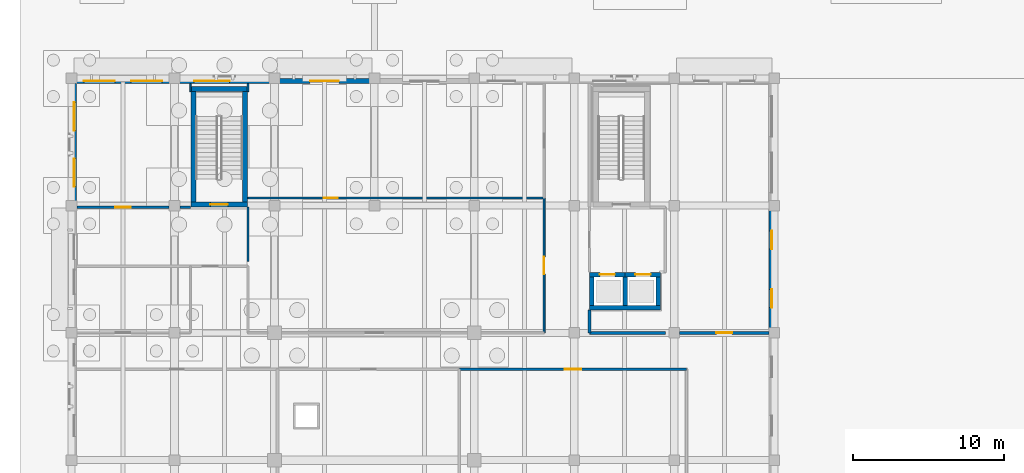
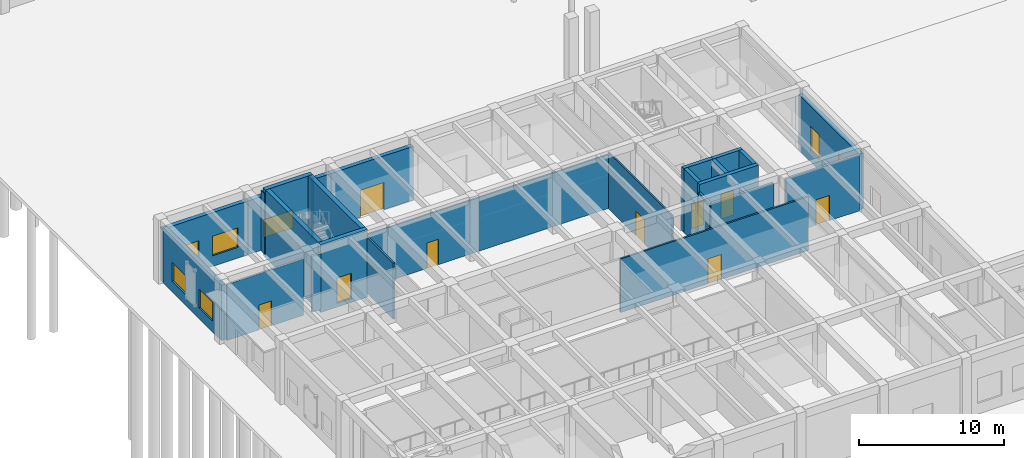
# One storey, part 50 of 82: 26 walls, 9 doors, 7 windows, 16 openings.
"""IFC4 building model written with IfcOpenShell, lengths in metres."""

from ifc_helpers import new_model, si_unit, direction, frame, frame_2d, origin, place, context, subcontext, project, spatial, rectangle, extrude, material, layer, layer_set, type_object, element, fill, save


model = new_model("IFC4")

# Units and contexts
model_context = context("Model", 3, precision=1e-05, world=origin(), true_north=direction((0.0, 1.0)))
body_context = subcontext(model_context, "Body", "Model", "MODEL_VIEW")
ifc_project = project(units=[si_unit("LENGTHUNIT", "METRE"), si_unit("AREAUNIT", "SQUARE_METRE"), si_unit("VOLUMEUNIT", "CUBIC_METRE"), si_unit("PLANEANGLEUNIT", "RADIAN"), si_unit("MASSUNIT", "GRAM", prefix="KILO")], contexts=[model_context])

# Site, building, storey
site_placement = place(None, origin())
site = spatial("IfcSite", under=ifc_project, at=site_placement, CompositionType="ELEMENT")
building_placement = place(site_placement, origin())
building = spatial("IfcBuilding", under=site, at=building_placement, Name="Kolvaren Faculty of Natural Sciences", CompositionType="ELEMENT")
storey_placement = place(building_placement, origin())
storey = spatial("IfcBuildingStorey", under=building, at=storey_placement, Name="L00", CompositionType="ELEMENT", Elevation=0.0)

# Wall, opening, door
ifc_material_1 = material(Name="Acoustic mineral-wool insulated gypsum partition")
ifc_layer_1 = layer(ifc_material_1, 0.139892578125)
ifc_layer_set_1 = layer_set([ifc_layer_1], Name="Acoustic mineral-wool insulated gypsum partition")
wall_type_1 = type_object("IfcWallType", Name="CommonsPartitionWall_140", PredefinedType="PARTITIONING", material=ifc_layer_set_1)
wall_1_placement = place(storey_placement, frame((25.60009765625, 23.0, 0.0), z_axis=(0.0, 0.0, 1.0), x_axis=(1.0, 0.0, 0.0)))
wall_1 = element("IfcWall", 1, at=wall_1_placement, inside=storey, type_object=wall_type_1, Name="L00 interior partition PW-140", PredefinedType="PARTITIONING", context=body_context, shape_type="SweptSolid", body=[
    extrude(rectangle(XDim=15.0, YDim=0.139892578125, at=frame_2d((7.5, 0.0))), origin(), (0.0, 0.0, 1.0), 4.534912109375),
])
opening_1_placement = place(wall_1_placement, frame((6.965087890625, 0.0, 0.0)))
opening_1 = element("IfcOpeningElement", 2, at=opening_1_placement, cuts=wall_1, Name="Opening ID-16", PredefinedType="OPENING", context=body_context, shape_type="SweptSolid", body=[
    extrude(rectangle(XDim=1.070068359375, YDim=2.10009765625, at=frame_2d((0.53515625, 1.050048828125))), frame((0.0, 0.079833984375, 0.0), z_axis=(0.0, -1.0, 0.0), x_axis=(1.0, 0.0, 0.0)), (0.0, 0.0, 1.0), 0.159912109375),
])
ifc_material_2 = material(Name="Solid-core hardwood veneer door leaf in steel frame", Category="steel")
door_type_1 = type_object("IfcDoorType", Name="InteriorRoomDoor_1070x2100", OperationType="NOTDEFINED", PredefinedType="DOOR", material=ifc_material_2)
door_1_placement = place(opening_1_placement, origin())
door_1 = element("IfcDoor", 3, at=door_1_placement, inside=storey, type_object=door_type_1, Name="D-L00-0073", OperationType="SINGLE_SWING_LEFT", OverallHeight=2.10009765625, OverallWidth=1.070068359375, PredefinedType="DOOR", context=body_context, shape_type="SweptSolid", body=[
    extrude(rectangle(XDim=1.070068359375, YDim=2.10009765625, at=frame_2d((0.53515625, 1.050048828125))), frame((0.0, 0.02490234375, 0.0), z_axis=(0.0, -1.0, 0.0), x_axis=(1.0, 0.0, 0.0)), (0.0, 0.0, 1.0), 0.050048828125),
])
fill(opening_1, door_1)

ifc_material_3 = material(Name="Concrete C40/50", Category="concrete")
ifc_layer_2 = layer(ifc_material_3, 0.35009765625)
ifc_layer_set_2 = layer_set([ifc_layer_2], Name="Concrete C40/50")
wall_type_2 = type_object("IfcWallType", Name="CoreShearWall_350", PredefinedType="SHEAR", material=ifc_layer_set_2)
wall_2_placement = place(storey_placement, frame((11.625, 33.875, -0.320068359375), z_axis=(0.0, 0.0, 1.0), x_axis=(-1.0, 0.0, 0.0)))
wall_2 = element("IfcWall", 4, at=wall_2_placement, inside=storey, type_object=wall_type_2, Name="L00 CORE-C8 stair shear wall S", PredefinedType="SHEAR", context=body_context, shape_type="SweptSolid", body=[
    extrude(rectangle(XDim=3.75, YDim=0.35009765625, at=frame_2d((1.875, 0.0))), origin(), (0.0, 0.0, 1.0), 5.719970703125),
])
opening_2_placement = place(wall_2_placement, frame((1.300048828125, 0.0, 0.320068359375)))
opening_2 = element("IfcOpeningElement", 5, at=opening_2_placement, cuts=wall_2, Name="Opening FD90", PredefinedType="OPENING", context=body_context, shape_type="SweptSolid", body=[
    extrude(rectangle(XDim=1.14990234375, YDim=2.14990234375, at=frame_2d((0.574951171875, 1.074951171875))), frame((0.0, 0.18505859375, 0.0), z_axis=(0.0, -1.0, 0.0), x_axis=(1.0, 0.0, 0.0)), (0.0, 0.0, 1.0), 0.3701171875),
])
ifc_material_4 = material(Name="Fire-rated solid-core hardwood door leaf in steel frame", Category="steel")
door_type_2 = type_object("IfcDoorType", Name="StairCoreFireDoor_1150x2150", OperationType="NOTDEFINED", PredefinedType="DOOR", material=ifc_material_4)
door_2_placement = place(opening_2_placement, origin())
door_2 = element("IfcDoor", 6, at=door_2_placement, inside=storey, type_object=door_type_2, Name="D-ST-ST-8-L00", OperationType="SINGLE_SWING_LEFT", OverallHeight=2.14990234375, OverallWidth=1.14990234375, PredefinedType="DOOR", context=body_context, shape_type="SweptSolid", body=[
    extrude(rectangle(XDim=1.14990234375, YDim=2.14990234375, at=frame_2d((0.574951171875, 1.074951171875))), frame((0.0, 0.02490234375, 0.0), z_axis=(0.0, -1.0, 0.0), x_axis=(1.0, 0.0, 0.0)), (0.0, 0.0, 1.0), 0.050048828125),
])
fill(opening_2, door_2)

# Walls
wall_3_placement = place(storey_placement, frame((7.875, 41.5, -0.320068359375), z_axis=(0.0, 0.0, 1.0), x_axis=(1.0, 0.0, 0.0)))
element("IfcWall", 7, at=wall_3_placement, inside=storey, type_object=wall_type_2, Name="L00 CORE-C8 stair shear wall N", PredefinedType="SHEAR", context=body_context, shape_type="SweptSolid", body=[
    extrude(rectangle(XDim=3.75, YDim=0.35009765625, at=frame_2d((1.875, 0.0))), origin(), (0.0, 0.0, 1.0), 5.719970703125),
])
for number, where, z_axis, x_axis, name in (
    (8, (8.050048828125, 34.050048828125, -0.320068359375), (0.0, 0.0, 1.0), (0.0, 1.0, 0.0), "L00 CORE-C8 stair shear wall W"),
    (9, (11.449951171875, 34.050048828125, -0.320068359375), (0.0, 0.0, 1.0), (0.0, 1.0, 0.0), "L00 CORE-C8 stair shear wall E"),
):
    element("IfcWall", number, at=place(storey_placement, frame(where, z_axis=z_axis, x_axis=x_axis)), inside=storey, type_object=wall_type_2, Name=name, PredefinedType="SHEAR", context=body_context, shape_type="SweptSolid", body=[
        extrude(rectangle(XDim=7.27490234375, YDim=0.35009765625, at=frame_2d((3.637451171875, 0.0))), origin(), (0.0, 0.0, 1.0), 5.719970703125),
    ])
ifc_layer_3 = layer(ifc_material_1, 0.094970703125)
ifc_layer_set_3 = layer_set([ifc_layer_3], Name="Acoustic mineral-wool insulated gypsum partition")
wall_type_3 = type_object("IfcWallType", Name="CubiclePartition_095", PredefinedType="PARTITIONING", material=ifc_layer_set_3)
wall_4_placement = place(storey_placement, frame((7.85009765625, 41.85791015625, 0.0), z_axis=(0.0, 0.0, 1.0), x_axis=(0.0, -1.0, 0.0)))
element("IfcWall", 10, at=wall_4_placement, inside=storey, type_object=wall_type_3, Name="L00 interior partition PW-095", PredefinedType="PARTITIONING", context=body_context, shape_type="SweptSolid", body=[
    extrude(rectangle(XDim=0.532958984375, YDim=0.094970703125, at=frame_2d((0.2666015625, 0.0))), origin(), (0.0, 0.0, 1.0), 5.094970703125),
])

# Wall, openings, windows
ifc_material_5 = material(Name="Sandstone-faced insulated cavity masonry", Category="masonry")
ifc_layer_4 = layer(ifc_material_5, 0.340087890625)
ifc_layer_set_4 = layer_set([ifc_layer_4], Name="Sandstone-faced insulated cavity masonry")
wall_type_4 = type_object("IfcWallType", Name="ExteriorCavityWall_340", PredefinedType="STANDARD", material=ifc_layer_set_4)
wall_5_placement = place(storey_placement, frame((0.169921875, 33.800048828125, 0.0), z_axis=(0.0, 0.0, 1.0), x_axis=(0.0, 1.0, 0.0)))
wall_5 = element("IfcWall", 11, at=wall_5_placement, inside=storey, type_object=wall_type_4, Name="L00 exterior masonry wall EW-340 (11)", PredefinedType="STANDARD", context=body_context, shape_type="SweptSolid", body=[
    extrude(rectangle(XDim=8.06005859375, YDim=0.340087890625, at=frame_2d((4.030029296875, 0.0))), origin(), (0.0, 0.0, 1.0), 4.68505859375),
])
opening_3_placement = place(wall_5_placement, frame((1.251220703125, 0.0, 0.89990234375)))
opening_3 = element("IfcOpeningElement", 12, at=opening_3_placement, cuts=wall_5, Name="Opening WIN-16", PredefinedType="OPENING", context=body_context, shape_type="SweptSolid", body=[
    extrude(rectangle(XDim=1.85009765625, YDim=1.60009765625, at=frame_2d((0.925048828125, 0.800048828125))), frame((0.0, 0.179931640625, 0.0), z_axis=(0.0, -1.0, 0.0), x_axis=(1.0, 0.0, 0.0)), (0.0, 0.0, 1.0), 0.360107421875),
])
opening_4_placement = place(wall_5_placement, frame((4.958740234375, 0.0, 0.89990234375)))
opening_4 = element("IfcOpeningElement", 13, at=opening_4_placement, cuts=wall_5, Name="Opening WIN-16", PredefinedType="OPENING", context=body_context, shape_type="SweptSolid", body=[
    extrude(rectangle(XDim=1.85009765625, YDim=1.60009765625, at=frame_2d((0.925048828125, 0.800048828125))), frame((0.0, 0.179931640625, 0.0), z_axis=(0.0, -1.0, 0.0), x_axis=(1.0, 0.0, 0.0)), (0.0, 0.0, 1.0), 0.360107421875),
])
ifc_material_6 = material(Name="Double low-E solar control insulated glazing", Category="glass")
window_type_1 = type_object("IfcWindowType", Name="AluWindow_WIN16_1850x1600", PartitioningType="SINGLE_PANEL", PredefinedType="WINDOW", material=ifc_material_6)
window_1_placement = place(opening_3_placement, origin())
window_1 = element("IfcWindow", 14, at=window_1_placement, inside=storey, type_object=window_type_1, Name="WIN-L00-0023", OverallHeight=1.60009765625, OverallWidth=1.85009765625, PartitioningType="SINGLE_PANEL", PredefinedType="WINDOW", context=body_context, shape_type="SweptSolid", body=[
    extrude(rectangle(XDim=1.85009765625, YDim=1.60009765625, at=frame_2d((0.925048828125, 0.800048828125))), frame((0.0, 0.030029296875, 0.0), z_axis=(0.0, -1.0, 0.0), x_axis=(1.0, 0.0, 0.0)), (0.0, 0.0, 1.0), 0.06005859375),
])
fill(opening_3, window_1)
window_2_placement = place(opening_4_placement, origin())
window_2 = element("IfcWindow", 15, at=window_2_placement, inside=storey, type_object=window_type_1, Name="WIN-L00-0024", OverallHeight=1.60009765625, OverallWidth=1.85009765625, PartitioningType="SINGLE_PANEL", PredefinedType="WINDOW", context=body_context, shape_type="SweptSolid", body=[
    extrude(rectangle(XDim=1.85009765625, YDim=1.60009765625, at=frame_2d((0.925048828125, 0.800048828125))), frame((0.0, 0.030029296875, 0.0), z_axis=(0.0, -1.0, 0.0), x_axis=(1.0, 0.0, 0.0)), (0.0, 0.0, 1.0), 0.06005859375),
])
fill(opening_4, window_2)

wall_6_placement = place(storey_placement, frame((0.0, 42.030029296875, 0.0), z_axis=(0.0, 0.0, 1.0), x_axis=(1.0, 0.0, 0.0)))
wall_6 = element("IfcWall", 16, at=wall_6_placement, inside=storey, type_object=wall_type_4, Name="L00 exterior masonry wall EW-340 (12)", PredefinedType="STANDARD", context=body_context, shape_type="SweptSolid", body=[
    extrude(rectangle(XDim=6.800048828125, YDim=0.340087890625, at=frame_2d((3.39990234375, 0.0))), origin(), (0.0, 0.0, 1.0), 4.534912109375),
])
opening_5_placement = place(wall_6_placement, frame((0.81103515625, 0.0, 0.89990234375)))
opening_5 = element("IfcOpeningElement", 17, at=opening_5_placement, cuts=wall_6, Name="Opening WIN-17", PredefinedType="OPENING", context=body_context, shape_type="SweptSolid", body=[
    extrude(rectangle(XDim=2.050048828125, YDim=1.64990234375, at=frame_2d((1.02490234375, 0.824951171875))), frame((0.0, 0.179931640625, 0.0), z_axis=(0.0, -1.0, 0.0), x_axis=(1.0, 0.0, 0.0)), (0.0, 0.0, 1.0), 0.360107421875),
])
opening_6_placement = place(wall_6_placement, frame((3.93896484375, 0.0, 0.89990234375)))
opening_6 = element("IfcOpeningElement", 18, at=opening_6_placement, cuts=wall_6, Name="Opening WIN-17", PredefinedType="OPENING", context=body_context, shape_type="SweptSolid", body=[
    extrude(rectangle(XDim=2.050048828125, YDim=1.64990234375, at=frame_2d((1.02490234375, 0.824951171875))), frame((0.0, 0.179931640625, 0.0), z_axis=(0.0, -1.0, 0.0), x_axis=(1.0, 0.0, 0.0)), (0.0, 0.0, 1.0), 0.360107421875),
])
window_type_2 = type_object("IfcWindowType", Name="AluWindow_WIN17_2050x1650", PartitioningType="SINGLE_PANEL", PredefinedType="WINDOW", material=ifc_material_6)
window_3_placement = place(opening_5_placement, origin())
window_3 = element("IfcWindow", 19, at=window_3_placement, inside=storey, type_object=window_type_2, Name="WIN-L00-0025", OverallHeight=1.64990234375, OverallWidth=2.050048828125, PartitioningType="SINGLE_PANEL", PredefinedType="WINDOW", context=body_context, shape_type="SweptSolid", body=[
    extrude(rectangle(XDim=2.050048828125, YDim=1.64990234375, at=frame_2d((1.02490234375, 0.824951171875))), frame((0.0, 0.030029296875, 0.0), z_axis=(0.0, -1.0, 0.0), x_axis=(1.0, 0.0, 0.0)), (0.0, 0.0, 1.0), 0.06005859375),
])
fill(opening_5, window_3)
window_4_placement = place(opening_6_placement, origin())
window_4 = element("IfcWindow", 20, at=window_4_placement, inside=storey, type_object=window_type_2, Name="WIN-L00-0026", OverallHeight=1.64990234375, OverallWidth=2.050048828125, PartitioningType="SINGLE_PANEL", PredefinedType="WINDOW", context=body_context, shape_type="SweptSolid", body=[
    extrude(rectangle(XDim=2.050048828125, YDim=1.64990234375, at=frame_2d((1.02490234375, 0.824951171875))), frame((0.0, 0.030029296875, 0.0), z_axis=(0.0, -1.0, 0.0), x_axis=(1.0, 0.0, 0.0)), (0.0, 0.0, 1.0), 0.06005859375),
])
fill(opening_6, window_4)

# Wall, opening, window
wall_7_placement = place(storey_placement, frame((6.800048828125, 42.030029296875, 0.0), z_axis=(0.0, 0.0, 1.0), x_axis=(1.0, 0.0, 0.0)))
wall_7 = element("IfcWall", 21, at=wall_7_placement, inside=storey, type_object=wall_type_4, Name="L00 exterior masonry wall EW-340 (13)", PredefinedType="STANDARD", context=body_context, shape_type="SweptSolid", body=[
    extrude(rectangle(XDim=6.599853515625, YDim=0.340087890625, at=frame_2d((3.2998046875, 0.0))), origin(), (0.0, 0.0, 1.0), 4.534912109375),
])
opening_7_placement = place(wall_7_placement, frame((1.2900390625, 0.0, 0.89990234375)))
opening_7 = element("IfcOpeningElement", 22, at=opening_7_placement, cuts=wall_7, Name="Opening WIN-18", PredefinedType="OPENING", context=body_context, shape_type="SweptSolid", body=[
    extrude(rectangle(XDim=2.35009765625, YDim=1.5, at=frame_2d((1.175048828125, 0.75))), frame((0.0, 0.179931640625, 0.0), z_axis=(0.0, -1.0, 0.0), x_axis=(1.0, 0.0, 0.0)), (0.0, 0.0, 1.0), 0.360107421875),
])
window_type_3 = type_object("IfcWindowType", Name="AluWindow_WIN18_2350x1500", PartitioningType="SINGLE_PANEL", PredefinedType="WINDOW", material=ifc_material_6)
window_5_placement = place(opening_7_placement, origin())
window_5 = element("IfcWindow", 23, at=window_5_placement, inside=storey, type_object=window_type_3, Name="WIN-L00-0027", OverallHeight=1.5, OverallWidth=2.35009765625, PartitioningType="SINGLE_PANEL", PredefinedType="WINDOW", context=body_context, shape_type="SweptSolid", body=[
    extrude(rectangle(XDim=2.35009765625, YDim=1.5, at=frame_2d((1.175048828125, 0.75))), frame((0.0, 0.030029296875, 0.0), z_axis=(0.0, -1.0, 0.0), x_axis=(1.0, 0.0, 0.0)), (0.0, 0.0, 1.0), 0.06005859375),
])
fill(opening_7, window_5)

# Wall, opening, door
wall_8_placement = place(storey_placement, frame((13.39990234375, 42.030029296875, 0.0), z_axis=(0.0, 0.0, 1.0), x_axis=(1.0, 0.0, 0.0)))
wall_8 = element("IfcWall", 24, at=wall_8_placement, inside=storey, type_object=wall_type_4, Name="L00 exterior masonry wall EW-340 (14)", PredefinedType="STANDARD", context=body_context, shape_type="SweptSolid", body=[
    extrude(rectangle(XDim=6.60009765625, YDim=0.340087890625, at=frame_2d((3.300048828125, 0.0))), origin(), (0.0, 0.0, 1.0), 4.534912109375),
])
opening_8_placement = place(wall_8_placement, frame((2.35009765625, 0.0, 0.0)))
opening_8 = element("IfcOpeningElement", 25, at=opening_8_placement, cuts=wall_8, Name="Opening ED-02", PredefinedType="OPENING", context=body_context, shape_type="SweptSolid", body=[
    extrude(rectangle(XDim=1.89990234375, YDim=2.300048828125, at=frame_2d((0.949951171875, 1.14990234375))), frame((0.0, 0.179931640625, 0.0), z_axis=(0.0, -1.0, 0.0), x_axis=(1.0, 0.0, 0.0)), (0.0, 0.0, 1.0), 0.360107421875),
])
ifc_material_7 = material(Name="Thermally broken anodised aluminium framing", Category="aluminium")
door_type_3 = type_object("IfcDoorType", Name="PlazaExitDoubleDoor_1900x2300", OperationType="DOUBLE_DOOR_SINGLE_SWING", PredefinedType="DOOR", material=ifc_material_7)
door_3_placement = place(opening_8_placement, origin())
door_3 = element("IfcDoor", 26, at=door_3_placement, inside=storey, type_object=door_type_3, Name="D-L00-EX-16", OperationType="DOUBLE_DOOR_SINGLE_SWING", OverallHeight=2.300048828125, OverallWidth=1.89990234375, PredefinedType="DOOR", context=body_context, shape_type="SweptSolid", body=[
    extrude(rectangle(XDim=1.89990234375, YDim=2.300048828125, at=frame_2d((0.949951171875, 1.14990234375))), frame((0.0, 0.02490234375, 0.0), z_axis=(0.0, -1.0, 0.0), x_axis=(1.0, 0.0, 0.0)), (0.0, 0.0, 1.0), 0.050048828125),
])
fill(opening_8, door_3)

# Wall, openings, windows
wall_9_placement = place(storey_placement, frame((46.22998046875, 33.800048828125, 0.0), z_axis=(0.0, 0.0, 1.0), x_axis=(0.0, -1.0, 0.0)))
wall_9 = element("IfcWall", 27, at=wall_9_placement, inside=storey, type_object=wall_type_4, Name="L00 exterior masonry wall EW-340 (20)", PredefinedType="STANDARD", context=body_context, shape_type="SweptSolid", body=[
    extrude(rectangle(XDim=8.400146484375, YDim=0.340087890625, at=frame_2d((4.2001953125, 0.0))), origin(), (0.0, 0.0, 1.0), 4.68505859375),
])
opening_9_placement = place(wall_9_placement, frame((1.66796875, 0.0, 0.89990234375)))
opening_9 = element("IfcOpeningElement", 28, at=opening_9_placement, cuts=wall_9, Name="Opening WIN-01", PredefinedType="OPENING", context=body_context, shape_type="SweptSolid", body=[
    extrude(rectangle(XDim=1.199951171875, YDim=2.10009765625, at=frame_2d((0.60009765625, 1.050048828125))), frame((0.0, 0.179931640625, 0.0), z_axis=(0.0, -1.0, 0.0), x_axis=(1.0, 0.0, 0.0)), (0.0, 0.0, 1.0), 0.360107421875),
])
opening_10_placement = place(wall_9_placement, frame((5.531982421875, 0.0, 0.89990234375)))
opening_10 = element("IfcOpeningElement", 29, at=opening_10_placement, cuts=wall_9, Name="Opening WIN-01", PredefinedType="OPENING", context=body_context, shape_type="SweptSolid", body=[
    extrude(rectangle(XDim=1.199951171875, YDim=2.10009765625, at=frame_2d((0.60009765625, 1.050048828125))), frame((0.0, 0.179931640625, 0.0), z_axis=(0.0, -1.0, 0.0), x_axis=(1.0, 0.0, 0.0)), (0.0, 0.0, 1.0), 0.360107421875),
])
window_type_4 = type_object("IfcWindowType", Name="AluWindow_WIN01_1200x2100", PartitioningType="SINGLE_PANEL", PredefinedType="WINDOW", material=ifc_material_6)
window_6_placement = place(opening_9_placement, origin())
window_6 = element("IfcWindow", 30, at=window_6_placement, inside=storey, type_object=window_type_4, Name="WIN-L00-0034", OverallHeight=2.10009765625, OverallWidth=1.199951171875, PartitioningType="SINGLE_PANEL", PredefinedType="WINDOW", context=body_context, shape_type="SweptSolid", body=[
    extrude(rectangle(XDim=1.199951171875, YDim=2.10009765625, at=frame_2d((0.60009765625, 1.050048828125))), frame((0.0, 0.030029296875, 0.0), z_axis=(0.0, -1.0, 0.0), x_axis=(1.0, 0.0, 0.0)), (0.0, 0.0, 1.0), 0.06005859375),
])
fill(opening_9, window_6)
window_7_placement = place(opening_10_placement, origin())
window_7 = element("IfcWindow", 31, at=window_7_placement, inside=storey, type_object=window_type_4, Name="WIN-L00-0035", OverallHeight=2.10009765625, OverallWidth=1.199951171875, PartitioningType="SINGLE_PANEL", PredefinedType="WINDOW", context=body_context, shape_type="SweptSolid", body=[
    extrude(rectangle(XDim=1.199951171875, YDim=2.10009765625, at=frame_2d((0.60009765625, 1.050048828125))), frame((0.0, 0.030029296875, 0.0), z_axis=(0.0, -1.0, 0.0), x_axis=(1.0, 0.0, 0.0)), (0.0, 0.0, 1.0), 0.06005859375),
])
fill(opening_10, window_7)

# Wall, opening, door
ifc_layer_5 = layer(ifc_material_1, 0.18505859375)
ifc_layer_set_5 = layer_set([ifc_layer_5], Name="Acoustic mineral-wool insulated gypsum partition")
wall_type_5 = type_object("IfcWallType", Name="LabPartitionWall_185", PredefinedType="PARTITIONING", material=ifc_layer_set_5)
wall_10_placement = place(storey_placement, frame((46.050048828125, 25.39990234375, 0.0), z_axis=(0.0, 0.0, 1.0), x_axis=(-1.0, 0.0, 0.0)))
wall_10 = element("IfcWall", 32, at=wall_10_placement, inside=storey, type_object=wall_type_5, Name="L00 interior partition PW-185", PredefinedType="PARTITIONING", context=body_context, shape_type="SweptSolid", body=[
    extrude(rectangle(XDim=5.900146484375, YDim=0.18505859375, at=frame_2d((2.9501953125, 0.0))), origin(), (0.0, 0.0, 1.0), 4.735107421875),
])
opening_11_placement = place(wall_10_placement, frame((2.429931640625, 0.0, 0.0)))
opening_11 = element("IfcOpeningElement", 33, at=opening_11_placement, cuts=wall_10, Name="Opening ID-22", PredefinedType="OPENING", context=body_context, shape_type="SweptSolid", body=[
    extrude(rectangle(XDim=1.0400390625, YDim=2.139892578125, at=frame_2d((0.52001953125, 1.06982421875))), frame((0.0, 0.1025390625, 0.0), z_axis=(0.0, -1.0, 0.0), x_axis=(1.0, 0.0, 0.0)), (0.0, 0.0, 1.0), 0.205078125),
])
door_type_4 = type_object("IfcDoorType", Name="InteriorRoomDoor_1040x2140", OperationType="NOTDEFINED", PredefinedType="DOOR", material=ifc_material_2)
door_4_placement = place(opening_11_placement, origin())
door_4 = element("IfcDoor", 34, at=door_4_placement, inside=storey, type_object=door_type_4, Name="D-L00-0081", OperationType="SINGLE_SWING_LEFT", OverallHeight=2.139892578125, OverallWidth=1.0400390625, PredefinedType="DOOR", context=body_context, shape_type="SweptSolid", body=[
    extrude(rectangle(XDim=1.0400390625, YDim=2.139892578125, at=frame_2d((0.52001953125, 1.06982421875))), frame((0.0, 0.02490234375, 0.0), z_axis=(0.0, -1.0, 0.0), x_axis=(1.0, 0.0, 0.0)), (0.0, 0.0, 1.0), 0.050048828125),
])
fill(opening_11, door_4)

# Walls
wall_11_placement = place(storey_placement, frame((39.199951171875, 25.39990234375, 0.0), z_axis=(0.0, 0.0, 1.0), x_axis=(-1.0, 0.0, 0.0)))
element("IfcWall", 35, at=wall_11_placement, inside=storey, type_object=wall_type_5, Name="L00 interior partition PW-185", PredefinedType="PARTITIONING", context=body_context, shape_type="SweptSolid", body=[
    extrude(rectangle(XDim=5.0, YDim=0.18505859375, at=frame_2d((2.5, 0.0))), origin(), (0.0, 0.0, 1.0), 4.735107421875),
])
wall_12_placement = place(storey_placement, frame((34.199951171875, 25.39990234375, 0.0), z_axis=(0.0, 0.0, 1.0), x_axis=(0.0, 1.0, 0.0)))
element("IfcWall", 36, at=wall_12_placement, inside=storey, type_object=wall_type_5, Name="L00 interior partition PW-185", PredefinedType="PARTITIONING", context=body_context, shape_type="SweptSolid", body=[
    extrude(rectangle(XDim=1.498046875, YDim=0.18505859375, at=frame_2d((0.7490234375, 0.0))), origin(), (0.0, 0.0, 1.0), 4.735107421875),
])

# Wall, opening, door
ifc_material_8 = material(Name="Double fire-rated gypsum board on 100 mm steel stud", Category="steel")
ifc_layer_6 = layer(ifc_material_8, 0.14990234375)
ifc_layer_set_6 = layer_set([ifc_layer_6], Name="Double fire-rated gypsum board on 100 mm steel stud")
wall_type_6 = type_object("IfcWallType", Name="RatedCorridorWall_150", PredefinedType="PARTITIONING", material=ifc_layer_set_6)
wall_13_placement = place(storey_placement, frame((0.35009765625, 33.699951171875, 0.0), z_axis=(0.0, 0.0, 1.0), x_axis=(1.0, 0.0, 0.0)))
wall_13 = element("IfcWall", 37, at=wall_13_placement, inside=storey, type_object=wall_type_6, Name="L00 interior partition LW-150", PredefinedType="PARTITIONING", context=body_context, shape_type="SweptSolid", body=[
    extrude(rectangle(XDim=6.099853515625, YDim=0.14990234375, at=frame_2d((3.0498046875, 0.0))), origin(), (0.0, 0.0, 1.0), 4.735107421875),
])
opening_12_placement = place(wall_13_placement, frame((2.550048828125, 0.0, 0.0)))
opening_12 = element("IfcOpeningElement", 38, at=opening_12_placement, cuts=wall_13, Name="Opening FD30", PredefinedType="OPENING", context=body_context, shape_type="SweptSolid", body=[
    extrude(rectangle(XDim=1.0, YDim=2.10009765625, at=frame_2d((0.5, 1.050048828125))), frame((0.0, 0.0849609375, 0.0), z_axis=(0.0, -1.0, 0.0), x_axis=(1.0, 0.0, 0.0)), (0.0, 0.0, 1.0), 0.169921875),
])
door_type_5 = type_object("IfcDoorType", Name="CorridorFireDoor_1000x2100", OperationType="NOTDEFINED", PredefinedType="DOOR", material=ifc_material_4)
door_5_placement = place(opening_12_placement, origin())
door_5 = element("IfcDoor", 39, at=door_5_placement, inside=storey, type_object=door_type_5, Name="D-L00-0080", OperationType="SINGLE_SWING_RIGHT", OverallHeight=2.10009765625, OverallWidth=1.0, PredefinedType="DOOR", context=body_context, shape_type="SweptSolid", body=[
    extrude(rectangle(XDim=1.0, YDim=2.10009765625, at=frame_2d((0.5, 1.050048828125))), frame((0.0, 0.02490234375, 0.0), z_axis=(0.0, -1.0, 0.0), x_axis=(1.0, 0.0, 0.0)), (0.0, 0.0, 1.0), 0.050048828125),
])
fill(opening_12, door_5)

# Walls
wall_14_placement = place(storey_placement, frame((7.14990234375, 33.699951171875, 0.0), z_axis=(0.0, 0.0, 1.0), x_axis=(1.0, 0.0, 0.0)))
element("IfcWall", 40, at=wall_14_placement, inside=storey, type_object=wall_type_6, Name="L00 interior partition LW-150", PredefinedType="PARTITIONING", context=body_context, shape_type="SweptSolid", body=[
    extrude(rectangle(XDim=0.7001953125, YDim=0.14990234375, at=frame_2d((0.35009765625, 0.0))), origin(), (0.0, 0.0, 1.0), 4.735107421875),
])
wall_15_placement = place(storey_placement, frame((11.64990234375, 33.699951171875, 0.0), z_axis=(0.0, 0.0, 1.0), x_axis=(0.0, -1.0, 0.0)))
element("IfcWall", 41, at=wall_15_placement, inside=storey, type_object=wall_type_6, Name="L00 interior partition LW-150", PredefinedType="PARTITIONING", context=body_context, shape_type="SweptSolid", body=[
    extrude(rectangle(XDim=3.599853515625, YDim=0.14990234375, at=frame_2d((1.7998046875, 0.0))), origin(), (0.0, 0.0, 1.0), 4.735107421875),
])
ifc_layer_7 = layer(ifc_material_3, 0.300048828125)
ifc_layer_set_7 = layer_set([ifc_layer_7], Name="Concrete C40/50")
wall_type_7 = type_object("IfcWallType", Name="ShaftShearWall_300", PredefinedType="SHEAR", material=ifc_layer_set_7)
wall_16_placement = place(storey_placement, frame((34.199951171875, 27.050048828125, 0.0), z_axis=(0.0, 0.0, 1.0), x_axis=(1.0, 0.0, 0.0)))
element("IfcWall", 42, at=wall_16_placement, inside=storey, type_object=wall_type_7, Name="L00 twin lift shaft wall S", PredefinedType="SHEAR", context=body_context, shape_type="SweptSolid", body=[
    extrude(rectangle(XDim=4.699951171875, YDim=0.300048828125, at=frame_2d((2.35009765625, 0.0))), origin(), (0.0, 0.0, 1.0), 5.39990234375),
])

# Wall, opening, door
wall_17_placement = place(storey_placement, frame((34.199951171875, 29.25, 0.0), z_axis=(0.0, 0.0, 1.0), x_axis=(1.0, 0.0, 0.0)))
wall_17 = element("IfcWall", 43, at=wall_17_placement, inside=storey, type_object=wall_type_7, Name="L00 lift PL-2 shaft wall N", PredefinedType="SHEAR", context=body_context, shape_type="SweptSolid", body=[
    extrude(rectangle(XDim=2.35009765625, YDim=0.300048828125, at=frame_2d((1.175048828125, 0.0))), origin(), (0.0, 0.0, 1.0), 5.39990234375),
])
opening_13_placement = place(wall_17_placement, frame((0.675048828125, 0.0, 0.0)))
opening_13 = element("IfcOpeningElement", 44, at=opening_13_placement, cuts=wall_17, Name="Opening LD-02", PredefinedType="OPENING", context=body_context, shape_type="SweptSolid", body=[
    extrude(rectangle(XDim=1.0, YDim=2.10009765625, at=frame_2d((0.5, 1.050048828125))), frame((0.0, 0.159912109375, 0.0), z_axis=(0.0, -1.0, 0.0), x_axis=(1.0, 0.0, 0.0)), (0.0, 0.0, 1.0), 0.320068359375),
])
ifc_material_9 = material(Name="Brushed stainless steel lift car and sliding door assembly", Category="steel")
door_type_6 = type_object("IfcDoorType", Name="LiftLandingSliding_1000x2100", OperationType="SLIDING_TO_LEFT", PredefinedType="DOOR", material=ifc_material_9)
door_6_placement = place(opening_13_placement, origin())
door_6 = element("IfcDoor", 45, at=door_6_placement, inside=storey, type_object=door_type_6, Name="D-LIFT-PL-2-L00", OperationType="SLIDING_TO_LEFT", OverallHeight=2.10009765625, OverallWidth=1.0, PredefinedType="DOOR", context=body_context, shape_type="SweptSolid", body=[
    extrude(rectangle(XDim=1.0, YDim=2.10009765625, at=frame_2d((0.5, 1.050048828125))), frame((0.0, 0.02490234375, 0.0), z_axis=(0.0, -1.0, 0.0), x_axis=(1.0, 0.0, 0.0)), (0.0, 0.0, 1.0), 0.050048828125),
])
fill(opening_13, door_6)

wall_18_placement = place(storey_placement, frame((36.550048828125, 29.25, 0.0), z_axis=(0.0, 0.0, 1.0), x_axis=(1.0, 0.0, 0.0)))
wall_18 = element("IfcWall", 46, at=wall_18_placement, inside=storey, type_object=wall_type_7, Name="L00 lift PL-4 shaft wall N", PredefinedType="SHEAR", context=body_context, shape_type="SweptSolid", body=[
    extrude(rectangle(XDim=2.349853515625, YDim=0.300048828125, at=frame_2d((1.1748046875, 0.0))), origin(), (0.0, 0.0, 1.0), 5.39990234375),
])
opening_14_placement = place(wall_18_placement, frame((0.675048828125, 0.0, 0.0)))
opening_14 = element("IfcOpeningElement", 47, at=opening_14_placement, cuts=wall_18, Name="Opening LD-02", PredefinedType="OPENING", context=body_context, shape_type="SweptSolid", body=[
    extrude(rectangle(XDim=1.0, YDim=2.10009765625, at=frame_2d((0.5, 1.050048828125))), frame((0.0, 0.159912109375, 0.0), z_axis=(0.0, -1.0, 0.0), x_axis=(1.0, 0.0, 0.0)), (0.0, 0.0, 1.0), 0.320068359375),
])
door_7_placement = place(opening_14_placement, origin())
door_7 = element("IfcDoor", 48, at=door_7_placement, inside=storey, type_object=door_type_6, Name="D-LIFT-PL-4-L00", OperationType="SLIDING_TO_LEFT", OverallHeight=2.10009765625, OverallWidth=1.0, PredefinedType="DOOR", context=body_context, shape_type="SweptSolid", body=[
    extrude(rectangle(XDim=1.0, YDim=2.10009765625, at=frame_2d((0.5, 1.050048828125))), frame((0.0, 0.02490234375, 0.0), z_axis=(0.0, -1.0, 0.0), x_axis=(1.0, 0.0, 0.0)), (0.0, 0.0, 1.0), 0.050048828125),
])
fill(opening_14, door_7)

# Walls
for number, where, z_axis, x_axis, name in (
    (49, (34.35009765625, 27.199951171875, 0.0), (0.0, 0.0, 1.0), (0.0, 1.0, 0.0), "L00 lift PL-2 shaft wall W"),
    (50, (36.550048828125, 27.199951171875, 0.0), (0.0, 0.0, 1.0), (0.0, 1.0, 0.0), "L00 twin lift divider wall"),
    (51, (38.75, 27.199951171875, 0.0), (0.0, 0.0, 1.0), (0.0, 1.0, 0.0), "L00 lift PL-4 shaft wall E"),
):
    element("IfcWall", number, at=place(storey_placement, frame(where, z_axis=z_axis, x_axis=x_axis)), inside=storey, type_object=wall_type_7, Name=name, PredefinedType="SHEAR", context=body_context, shape_type="SweptSolid", body=[
        extrude(rectangle(XDim=1.900146484375, YDim=0.300048828125, at=frame_2d((0.9501953125, 0.0))), origin(), (0.0, 0.0, 1.0), 5.39990234375),
    ])
ifc_layer_8 = layer(ifc_material_1, 0.114990234375)
ifc_layer_set_8 = layer_set([ifc_layer_8], Name="Acoustic mineral-wool insulated gypsum partition")
wall_type_8 = type_object("IfcWallType", Name="StorePartitionWall_115", PredefinedType="PARTITIONING", material=ifc_layer_set_8)
wall_19_placement = place(storey_placement, frame((11.64990234375, 41.324951171875, 0.0), z_axis=(0.0, 0.0, 1.0), x_axis=(0.0, 1.0, 0.0)))
element("IfcWall", 52, at=wall_19_placement, inside=storey, type_object=wall_type_8, Name="L00 interior partition PW-115", PredefinedType="PARTITIONING", context=body_context, shape_type="SweptSolid", body=[
    extrude(rectangle(XDim=0.532958984375, YDim=0.114990234375, at=frame_2d((0.2666015625, 0.0))), origin(), (0.0, 0.0, 1.0), 5.094970703125),
])

# Wall, opening, door
ifc_layer_9 = layer(ifc_material_1, 0.1201171875)
ifc_layer_set_9 = layer_set([ifc_layer_9], Name="Acoustic mineral-wool insulated gypsum partition")
wall_type_9 = type_object("IfcWallType", Name="StudioPartitionWall_120", PredefinedType="PARTITIONING", material=ifc_layer_set_9)
wall_20_placement = place(storey_placement, frame((11.64990234375, 34.300048828125, 0.0), z_axis=(0.0, 0.0, 1.0), x_axis=(1.0, 0.0, 0.0)))
wall_20 = element("IfcWall", 53, at=wall_20_placement, inside=storey, type_object=wall_type_9, Name="L00 interior partition PW-120", PredefinedType="PARTITIONING", context=body_context, shape_type="SweptSolid", body=[
    extrude(rectangle(XDim=19.550048828125, YDim=0.1201171875, at=frame_2d((9.77490234375, 0.0))), origin(), (0.0, 0.0, 1.0), 4.534912109375),
])
opening_15_placement = place(wall_20_placement, frame((5.013916015625, 0.0, 0.0)))
opening_15 = element("IfcOpeningElement", 54, at=opening_15_placement, cuts=wall_20, Name="Opening ID-19", PredefinedType="OPENING", context=body_context, shape_type="SweptSolid", body=[
    extrude(rectangle(XDim=0.919921875, YDim=2.139892578125, at=frame_2d((0.4599609375, 1.06982421875))), frame((0.0, 0.070068359375, 0.0), z_axis=(0.0, -1.0, 0.0), x_axis=(1.0, 0.0, 0.0)), (0.0, 0.0, 1.0), 0.14013671875),
])
door_type_7 = type_object("IfcDoorType", Name="InteriorRoomDoor_920x2140", OperationType="NOTDEFINED", PredefinedType="DOOR", material=ifc_material_2)
door_8_placement = place(opening_15_placement, origin())
door_8 = element("IfcDoor", 55, at=door_8_placement, inside=storey, type_object=door_type_7, Name="D-L00-0078", OperationType="SINGLE_SWING_RIGHT", OverallHeight=2.139892578125, OverallWidth=0.919921875, PredefinedType="DOOR", context=body_context, shape_type="SweptSolid", body=[
    extrude(rectangle(XDim=0.919921875, YDim=2.139892578125, at=frame_2d((0.4599609375, 1.06982421875))), frame((0.0, 0.02490234375, 0.0), z_axis=(0.0, -1.0, 0.0), x_axis=(1.0, 0.0, 0.0)), (0.0, 0.0, 1.0), 0.050048828125),
])
fill(opening_15, door_8)

wall_21_placement = place(storey_placement, frame((31.199951171875, 34.300048828125, 0.0), z_axis=(0.0, 0.0, 1.0), x_axis=(0.0, -1.0, 0.0)))
wall_21 = element("IfcWall", 56, at=wall_21_placement, inside=storey, type_object=wall_type_9, Name="L00 interior partition PW-120", PredefinedType="PARTITIONING", context=body_context, shape_type="SweptSolid", body=[
    extrude(rectangle(XDim=8.900146484375, YDim=0.1201171875, at=frame_2d((4.4501953125, 0.0))), origin(), (0.0, 0.0, 1.0), 4.735107421875),
])
opening_16_placement = place(wall_21_placement, frame((3.860107421875, 0.0, 0.0)))
opening_16 = element("IfcOpeningElement", 57, at=opening_16_placement, cuts=wall_21, Name="Opening ID-18", PredefinedType="OPENING", context=body_context, shape_type="SweptSolid", body=[
    extrude(rectangle(XDim=1.179931640625, YDim=2.10009765625, at=frame_2d((0.58984375, 1.050048828125))), frame((0.0, 0.070068359375, 0.0), z_axis=(0.0, -1.0, 0.0), x_axis=(1.0, 0.0, 0.0)), (0.0, 0.0, 1.0), 0.14013671875),
])
door_type_8 = type_object("IfcDoorType", Name="InteriorRoomDoor_1180x2100", OperationType="NOTDEFINED", PredefinedType="DOOR", material=ifc_material_2)
door_9_placement = place(opening_16_placement, origin())
door_9 = element("IfcDoor", 58, at=door_9_placement, inside=storey, type_object=door_type_8, Name="D-L00-0076", OperationType="SINGLE_SWING_RIGHT", OverallHeight=2.10009765625, OverallWidth=1.179931640625, PredefinedType="DOOR", context=body_context, shape_type="SweptSolid", body=[
    extrude(rectangle(XDim=1.179931640625, YDim=2.10009765625, at=frame_2d((0.58984375, 1.050048828125))), frame((0.0, 0.02490234375, 0.0), z_axis=(0.0, -1.0, 0.0), x_axis=(1.0, 0.0, 0.0)), (0.0, 0.0, 1.0), 0.050048828125),
])
fill(opening_16, door_9)

save(model, "model.ifc")
